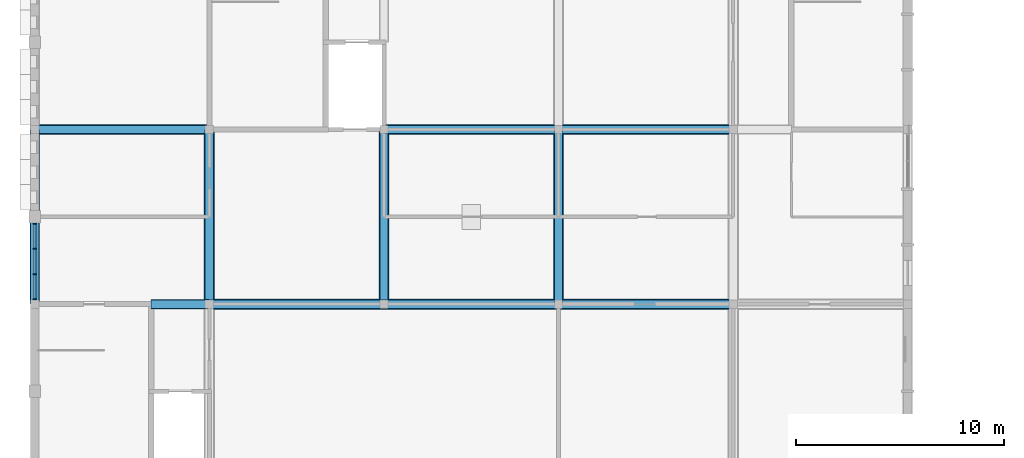
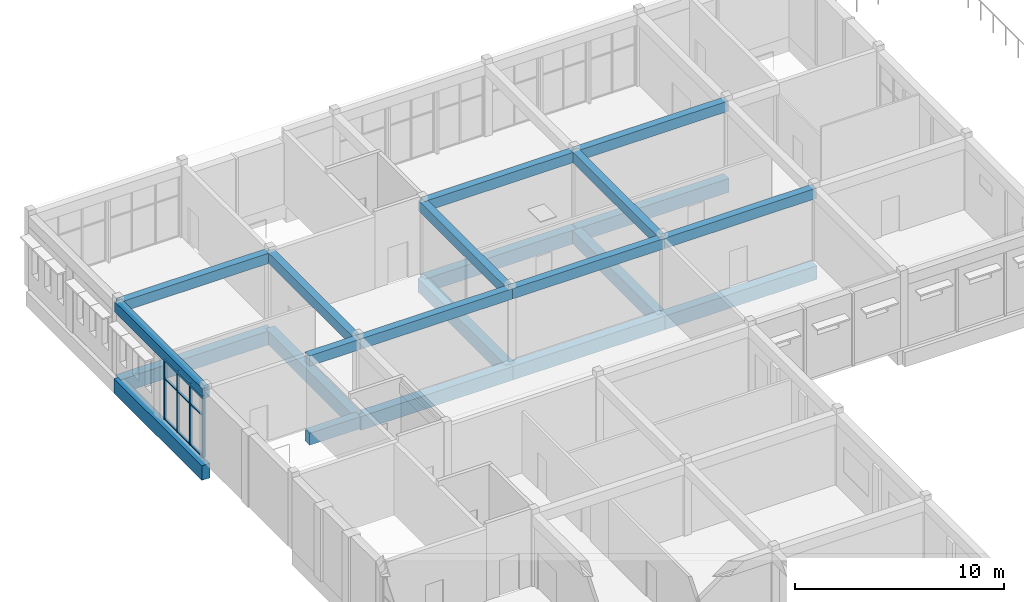
# One storey, part 5 of 15: 22 beams, 13 members, 1 element without a shape of its own.
"""IFC4 building model written with IfcOpenShell, lengths in metres."""

import ifcopenshell
import ifcopenshell.guid

model = None  # the IFC model being written
_history = None  # IfcOwnerHistory: only IFC2X3 demands one
_inside = {}  # id of a spatial element -> (the spatial element, [elements in it])
_under = {}  # id of a project, library or spatial element -> (it, [spatial elements below it])
_declared = {}  # id of a project -> (the project, [libraries it declares])
_typed = {}  # id of a type object -> (the type object, [elements of that type])
_made_of = {}  # id of a material, layer set ... -> (it, [elements and type objects made of it])


def new_model(schema):
    """Start an empty IFC model of exactly this schema.

    Asked for "IFC4X3", IfcOpenShell would pick the latest addendum, in which some entities
    have other attributes; the version numbers below select the first issue.
    IFC2X3 requires an IfcOwnerHistory on every rooted entity: one is made here for all.
    """
    global model, _history
    if schema == "IFC4X3":
        model = ifcopenshell.file(schema_version=(4, 3, 0, 0))
    else:
        model = ifcopenshell.file(schema=schema)
    _inside.clear()
    _under.clear()
    _declared.clear()
    _typed.clear()
    _made_of.clear()
    _history = None
    if model.schema == "IFC2X3":
        org = make("IfcOrganization", Name="unknown")
        user = make(
            "IfcPersonAndOrganization",
            ThePerson=make("IfcPerson", FamilyName="unknown"),
            TheOrganization=org,
        )
        app = make(
            "IfcApplication",
            ApplicationDeveloper=org,
            Version="unknown",
            ApplicationFullName="unknown",
            ApplicationIdentifier="unknown",
        )
        _history = make(
            "IfcOwnerHistory",
            OwningUser=user,
            OwningApplication=app,
            ChangeAction="ADDED",
            CreationDate=0,
        )
    return model


def make(cls, **values):
    """One entity of the class cls with the attributes given. An attribute that is None is left unset."""
    return model.create_entity(
        cls, **{name: value for name, value in values.items() if value is not None}
    )


def rooted(cls, **values):
    """An entity with a GlobalId (a new one), such as an element, a storey or a relation."""
    return make(cls, GlobalId=ifcopenshell.guid.new(), OwnerHistory=_history, **values)


def si_unit(unit_type, name, prefix=None):
    """IfcSIUnit, for example si_unit("LENGTHUNIT", "METRE", prefix="MILLI")."""
    return make("IfcSIUnit", UnitType=unit_type, Prefix=prefix, Name=name)


def assignment(units):
    """IfcUnitAssignment: the units of a project."""
    return None if units is None else make("IfcUnitAssignment", Units=units)


def point(xyz):
    """IfcCartesianPoint."""
    return None if xyz is None else make("IfcCartesianPoint", Coordinates=xyz)


def direction(xyz):
    """IfcDirection."""
    return None if xyz is None else make("IfcDirection", DirectionRatios=xyz)


def frame(location, z_axis=None, x_axis=None):
    """IfcAxis2Placement3D, a coordinate frame: its origin and axes. An axis left out is left unset."""
    return make(
        "IfcAxis2Placement3D",
        Location=point(location),
        Axis=direction(z_axis),
        RefDirection=direction(x_axis),
    )


def frame_2d(location, x_axis=None):
    """IfcAxis2Placement2D, a coordinate frame in the plane: its origin and x axis."""
    return make(
        "IfcAxis2Placement2D", Location=point(location), RefDirection=direction(x_axis)
    )


def origin():
    """The frame at (0, 0, 0) with its axes left unset."""
    return frame((0.0, 0.0, 0.0))


def origin_2d():
    """The frame at (0, 0) in the plane with its x axis left unset."""
    return frame_2d((0.0, 0.0))


def place(relative_to, where):
    """IfcLocalPlacement: puts the frame where relative to a parent placement (None: the world)."""
    return make(
        "IfcLocalPlacement", PlacementRelTo=relative_to, RelativePlacement=where
    )


def context(
    kind, dimensions, precision=None, world=None, true_north=None, identifier=None
):
    """IfcGeometricRepresentationContext, for example the 3D "Model" context."""
    return make(
        "IfcGeometricRepresentationContext",
        ContextIdentifier=identifier,
        ContextType=kind,
        CoordinateSpaceDimension=dimensions,
        Precision=precision,
        WorldCoordinateSystem=world,
        TrueNorth=true_north,
    )


def subcontext(parent, identifier, kind, view, scale=None):
    """IfcGeometricRepresentationSubContext, for example "Body" below "Model"."""
    return make(
        "IfcGeometricRepresentationSubContext",
        ContextIdentifier=identifier,
        ContextType=kind,
        ParentContext=parent,
        TargetScale=scale,
        TargetView=view,
    )


def project(units=None, contexts=None):
    """IfcProject with its units and contexts."""
    return rooted(
        "IfcProject",
        Name="project",
        RepresentationContexts=contexts,
        UnitsInContext=assignment(units),
    )


def spatial(cls, under=None, at=None, **own):
    """A site, building, storey or space (cls), placed at a placement, below another one or the project."""
    s = rooted(cls, ObjectPlacement=at, **own)
    if under is not None:
        _under.setdefault(under.id(), (under, []))[1].append(s)
    return s


def profile(cls, at=None, kind="AREA", **sizes):
    """A parametric profile (cls). Its sizes go by their IFC names, for example OverallWidth=200.0."""
    return make(cls, ProfileType=kind, Position=at, **sizes)


def rectangle(**sizes):
    """IfcRectangleProfileDef."""
    return profile("IfcRectangleProfileDef", **sizes)


def extrude(swept, where, along, depth):
    """IfcExtrudedAreaSolid: the profile swept, set in the frame where, extruded along a direction by depth."""
    return make(
        "IfcExtrudedAreaSolid",
        SweptArea=swept,
        Position=where,
        ExtrudedDirection=direction(along),
        Depth=depth,
    )


def shape(context_of_items, identifier, shape_type, items):
    """IfcShapeRepresentation: the items that make up one representation, for example the "Body"."""
    return make(
        "IfcShapeRepresentation",
        ContextOfItems=context_of_items,
        RepresentationIdentifier=identifier,
        RepresentationType=shape_type,
        Items=items,
    )


def material(Name=None, Category=None):
    """IfcMaterial."""
    return make("IfcMaterial", Name=Name, Category=Category)


def material_profile(
    of_material, cross_section, Name=None, Category=None, Priority=None
):
    """IfcMaterialProfile: a cross section and its material."""
    return make(
        "IfcMaterialProfile",
        Name=Name,
        Material=of_material,
        Profile=cross_section,
        Priority=Priority,
        Category=Category,
    )


def profile_set(profiles, Name=None, composite=None):
    """IfcMaterialProfileSet."""
    return make(
        "IfcMaterialProfileSet",
        Name=Name,
        MaterialProfiles=profiles,
        CompositeProfile=composite,
    )


def made_of(thing, what):
    """Note that an element or type object is made of a material, layer set ...; save() writes the relation."""
    if what is not None:
        _made_of.setdefault(what.id(), (what, []))[1].append(thing)
    return thing


def type_object(cls, material=None, **own):
    """A type object (cls), such as IfcWallType, which elements share."""
    return made_of(rooted(cls, **own), material)


def element(
    cls,
    number,
    at=None,
    inside=None,
    cuts=None,
    type_object=None,
    material=None,
    context=None,
    identifier="Body",
    shape_type=None,
    held_by="IfcProductDefinitionShape",
    body=None,
    shapes=None,
    **own,
):
    """One element of the class cls, such as IfcWall. Its Tag is "e" and its number.

    at: its placement. inside: the storey or other place that contains it. cuts: it is an
    opening in that element (IfcRelVoidsElement). A single representation is given by context,
    identifier, shape_type and body (its items); several are given by shapes. held_by: the class
    of the entity that holds the representations. save() writes the other relations.
    """
    e = rooted(cls, Tag="e%d" % number, ObjectPlacement=at, **own)
    if body is not None:
        shapes = [shape(context, identifier, shape_type, body)]
    if shapes is not None:
        e.Representation = make(held_by, Representations=shapes)
    if inside is not None:
        _inside.setdefault(inside.id(), (inside, []))[1].append(e)
    if cuts is not None:
        rooted(
            "IfcRelVoidsElement", RelatingBuildingElement=cuts, RelatedOpeningElement=e
        )
    if type_object is not None:
        _typed.setdefault(type_object.id(), (type_object, []))[1].append(e)
    return made_of(e, material)


def aggregate(whole, parts):
    """IfcRelAggregates: a whole, such as a stair, and the parts it consists of."""
    return rooted("IfcRelAggregates", RelatingObject=whole, RelatedObjects=parts)


def save(model, path):
    """Write the relations noted so far, then the file.

    IfcRelAggregates (storeys below a building ...), IfcRelContainedInSpatialStructure (elements
    in a storey), IfcRelDefinesByType, IfcRelAssociatesMaterial and IfcRelDeclares: one each for
    every whole, place, type object, material and project.
    """
    for whole, parts in _under.values():
        aggregate(whole, parts)
    for where, things in _inside.values():
        rooted(
            "IfcRelContainedInSpatialStructure",
            RelatedElements=things,
            RelatingStructure=where,
        )
    for kind, things in _typed.values():
        rooted("IfcRelDefinesByType", RelatedObjects=things, RelatingType=kind)
    for what, things in _made_of.values():
        rooted("IfcRelAssociatesMaterial", RelatedObjects=things, RelatingMaterial=what)
    for by, libraries in _declared.values():
        rooted("IfcRelDeclares", RelatingContext=by, RelatedDefinitions=libraries)
    model.write(path)


model = new_model("IFC4")

# Units and contexts
model_context = context("Model", 3, precision=1e-05, world=origin(), true_north=direction((0.0, 1.0)))
body_context = subcontext(model_context, "Body", "Model", "MODEL_VIEW")
ifc_project = project(units=[si_unit("LENGTHUNIT", "METRE"), si_unit("AREAUNIT", "SQUARE_METRE"), si_unit("VOLUMEUNIT", "CUBIC_METRE"), si_unit("PLANEANGLEUNIT", "RADIAN"), si_unit("MASSUNIT", "GRAM", prefix="KILO")], contexts=[model_context])

# Site, building, storey
site_placement = place(None, origin())
site = spatial("IfcSite", under=ifc_project, at=site_placement, CompositionType="ELEMENT")
building_placement = place(site_placement, origin())
building = spatial("IfcBuilding", under=site, at=building_placement, Name="Fescue Hill Polytechnic", CompositionType="ELEMENT")
storey_placement = place(building_placement, frame((0.0, 0.0, 31.5)))
storey = spatial("IfcBuildingStorey", under=building, at=storey_placement, Name="L07", CompositionType="ELEMENT", Elevation=31.5)

# Beams
ifc_material_1 = material(Name="Concrete 35 MPa", Category="concrete")
ifc_material_profile_1 = material_profile(ifc_material_1, rectangle(XDim=0.39990234375, YDim=0.60009765625, at=origin_2d()), Name="RC 400x600")
ifc_profile_set_1 = profile_set([ifc_material_profile_1], Name="Concrete 35 MPa")
beam_type_1 = type_object("IfcBeamType", Name="Beam RC 400x600", PredefinedType="BEAM", material=ifc_profile_set_1)
beam_1_placement = place(storey_placement, frame((0.0, 117.60009765625, 3.89990234375), z_axis=(0.0, 1.0, 0.0), x_axis=(-1.0, 0.0, 0.0)))
element("IfcBeam", 1, at=beam_1_placement, inside=storey, type_object=beam_type_1, Name="BR-L07-0006", PredefinedType="BEAM", context=body_context, shape_type="SweptSolid", body=[
    extrude(rectangle(XDim=0.39990234375, YDim=0.60009765625, at=origin_2d()), origin(), (0.0, 0.0, 1.0), 8.39990234375),
])
beam_2_placement = place(storey_placement, frame((0.010009765625, 126.0, 3.89990234375), z_axis=(1.0, 0.0, 0.0), x_axis=(0.0, 1.0, 0.0)))
element("IfcBeam", 2, at=beam_2_placement, inside=storey, type_object=beam_type_1, Name="BR-L07-0012", PredefinedType="BEAM", context=body_context, shape_type="SweptSolid", body=[
    extrude(rectangle(XDim=0.39990234375, YDim=0.60009765625, at=origin_2d()), origin(), (0.0, 0.0, 1.0), 8.3798828125),
])
beam_3_placement = place(storey_placement, frame((5.60009765625, 117.60009765625, 3.89990234375), z_axis=(1.0, 0.0, 0.0), x_axis=(0.0, 1.0, 0.0)))
element("IfcBeam", 3, at=beam_3_placement, inside=storey, type_object=beam_type_1, Name="BR-L07-0015", PredefinedType="BEAM", context=body_context, shape_type="SweptSolid", body=[
    extrude(rectangle(XDim=0.39990234375, YDim=0.60009765625, at=origin_2d()), origin(), (0.0, 0.0, 1.0), 2.789794921875),
])
beam_4_placement = place(storey_placement, frame((8.39990234375, 117.60009765625, 3.89990234375), z_axis=(0.0, 1.0, 0.0), x_axis=(-1.0, 0.0, 0.0)))
element("IfcBeam", 4, at=beam_4_placement, inside=storey, type_object=beam_type_1, Name="BR-L07-0023", PredefinedType="BEAM", context=body_context, shape_type="SweptSolid", body=[
    extrude(rectangle(XDim=0.39990234375, YDim=0.60009765625, at=origin_2d()), origin(), (0.0, 0.0, 1.0), 8.39990234375),
])
beam_5_placement = place(storey_placement, frame((8.409912109375, 117.60009765625, 3.89990234375), z_axis=(1.0, 0.0, 0.0), x_axis=(0.0, 1.0, 0.0)))
element("IfcBeam", 5, at=beam_5_placement, inside=storey, type_object=beam_type_1, Name="BR-L07-0030", PredefinedType="BEAM", context=body_context, shape_type="SweptSolid", body=[
    extrude(rectangle(XDim=0.39990234375, YDim=0.60009765625, at=origin_2d()), origin(), (0.0, 0.0, 1.0), 8.39013671875),
])
for number, where, z_axis, x_axis, name in (
    (6, (16.800048828125, 117.60009765625, 3.89990234375), (0.0, 1.0, 0.0), (-1.0, 0.0, 0.0), "BR-L07-0040"),
    (7, (16.800048828125, 117.60009765625, 3.89990234375), (1.0, 0.0, 0.0), (0.0, 1.0, 0.0), "BR-L07-0041"),
):
    element("IfcBeam", number, at=place(storey_placement, frame(where, z_axis=z_axis, x_axis=x_axis)), inside=storey, type_object=beam_type_1, Name=name, PredefinedType="BEAM", context=body_context, shape_type="SweptSolid", body=[
        extrude(rectangle(XDim=0.39990234375, YDim=0.60009765625, at=origin_2d()), origin(), (0.0, 0.0, 1.0), 8.39990234375),
    ])
beam_6_placement = place(storey_placement, frame((16.81005859375, 126.0, 3.89990234375), z_axis=(1.0, 0.0, 0.0), x_axis=(0.0, 1.0, 0.0)))
element("IfcBeam", 8, at=beam_6_placement, inside=storey, type_object=beam_type_1, Name="BR-L07-0049", PredefinedType="BEAM", context=body_context, shape_type="SweptSolid", body=[
    extrude(rectangle(XDim=0.39990234375, YDim=0.60009765625, at=origin_2d()), origin(), (0.0, 0.0, 1.0), 8.3798828125),
])
beam_7_placement = place(storey_placement, frame((25.199951171875, 117.60009765625, 3.89990234375), z_axis=(0.0, 1.0, 0.0), x_axis=(-1.0, 0.0, 0.0)))
element("IfcBeam", 9, at=beam_7_placement, inside=storey, type_object=beam_type_1, Name="BR-L07-0056", PredefinedType="BEAM", context=body_context, shape_type="SweptSolid", body=[
    extrude(rectangle(XDim=0.39990234375, YDim=0.60009765625, at=origin_2d()), origin(), (0.0, 0.0, 1.0), 8.39990234375),
])
beam_8_placement = place(storey_placement, frame((25.199951171875, 117.60009765625, 3.89990234375), z_axis=(1.0, 0.0, 0.0), x_axis=(0.0, 1.0, 0.0)))
element("IfcBeam", 10, at=beam_8_placement, inside=storey, type_object=beam_type_1, Name="BR-L07-0057", PredefinedType="BEAM", context=body_context, shape_type="SweptSolid", body=[
    extrude(rectangle(XDim=0.39990234375, YDim=0.60009765625, at=origin_2d()), origin(), (0.0, 0.0, 1.0), 8.39013671875),
])
beam_9_placement = place(storey_placement, frame((25.2099609375, 126.0, 3.89990234375), z_axis=(1.0, 0.0, 0.0), x_axis=(0.0, 1.0, 0.0)))
element("IfcBeam", 11, at=beam_9_placement, inside=storey, type_object=beam_type_1, Name="BR-L07-0059", PredefinedType="BEAM", context=body_context, shape_type="SweptSolid", body=[
    extrude(rectangle(XDim=0.39990234375, YDim=0.60009765625, at=origin_2d()), origin(), (0.0, 0.0, 1.0), 8.380126953125),
])
ifc_material_profile_2 = material_profile(ifc_material_1, rectangle(XDim=0.449951171875, YDim=0.699951171875, at=origin_2d()), Name="RC 450x700")
ifc_profile_set_2 = profile_set([ifc_material_profile_2], Name="Concrete 35 MPa")
beam_type_2 = type_object("IfcBeamType", Name="Beam RC 450x700", PredefinedType="BEAM", material=ifc_profile_set_2)
beam_10_placement = place(storey_placement, frame((5.60009765625, 117.60009765625, -0.64990234375), z_axis=(1.0, 0.0, 0.0), x_axis=(0.0, 1.0, 0.0)))
element("IfcBeam", 12, at=beam_10_placement, inside=storey, type_object=beam_type_2, Name="BM-L07-0015", PredefinedType="BEAM", context=body_context, shape_type="SweptSolid", body=[
    extrude(rectangle(XDim=0.449951171875, YDim=0.699951171875, at=origin_2d()), origin(), (0.0, 0.0, 1.0), 2.789794921875),
])
ifc_material_profile_3 = material_profile(ifc_material_1, rectangle(XDim=0.449951171875, YDim=0.85009765625, at=origin_2d()), Name="RC 450x850")
ifc_profile_set_3 = profile_set([ifc_material_profile_3], Name="Concrete 35 MPa")
beam_type_3 = type_object("IfcBeamType", Name="Beam RC 450x850", PredefinedType="BEAM", material=ifc_profile_set_3)
beam_11_placement = place(storey_placement, frame((0.0, 117.60009765625, -0.72509765625), z_axis=(0.0, 1.0, 0.0), x_axis=(-1.0, 0.0, 0.0)))
element("IfcBeam", 13, at=beam_11_placement, inside=storey, type_object=beam_type_3, Name="BM-L07-0006", PredefinedType="BEAM", context=body_context, shape_type="SweptSolid", body=[
    extrude(rectangle(XDim=0.449951171875, YDim=0.85009765625, at=origin_2d()), origin(), (0.0, 0.0, 1.0), 8.39990234375),
])
ifc_material_profile_4 = material_profile(ifc_material_1, rectangle(XDim=0.5, YDim=0.800048828125, at=origin_2d()), Name="RC 500x800")
ifc_profile_set_4 = profile_set([ifc_material_profile_4], Name="Concrete 35 MPa")
beam_type_4 = type_object("IfcBeamType", Name="Beam RC 500x800", PredefinedType="BEAM", material=ifc_profile_set_4)
beam_12_placement = place(storey_placement, frame((0.010009765625, 126.0, -0.699951171875), z_axis=(1.0, 0.0, 0.0), x_axis=(0.0, 1.0, 0.0)))
element("IfcBeam", 14, at=beam_12_placement, inside=storey, type_object=beam_type_4, Name="BM-L07-0012", PredefinedType="BEAM", context=body_context, shape_type="SweptSolid", body=[
    extrude(rectangle(XDim=0.5, YDim=0.800048828125, at=origin_2d()), origin(), (0.0, 0.0, 1.0), 8.3798828125),
])
beam_13_placement = place(storey_placement, frame((8.39990234375, 117.60009765625, -0.699951171875), z_axis=(0.0, 1.0, 0.0), x_axis=(-1.0, 0.0, 0.0)))
element("IfcBeam", 15, at=beam_13_placement, inside=storey, type_object=beam_type_4, Name="BM-L07-0023", PredefinedType="BEAM", context=body_context, shape_type="SweptSolid", body=[
    extrude(rectangle(XDim=0.5, YDim=0.800048828125, at=origin_2d()), origin(), (0.0, 0.0, 1.0), 8.39990234375),
])
beam_14_placement = place(storey_placement, frame((8.409912109375, 117.60009765625, -0.699951171875), z_axis=(1.0, 0.0, 0.0), x_axis=(0.0, 1.0, 0.0)))
element("IfcBeam", 16, at=beam_14_placement, inside=storey, type_object=beam_type_4, Name="BM-L07-0030", PredefinedType="BEAM", context=body_context, shape_type="SweptSolid", body=[
    extrude(rectangle(XDim=0.5, YDim=0.800048828125, at=origin_2d()), origin(), (0.0, 0.0, 1.0), 8.39013671875),
])
for number, where, z_axis, x_axis, name in (
    (17, (16.800048828125, 117.60009765625, -0.699951171875), (0.0, 1.0, 0.0), (-1.0, 0.0, 0.0), "BM-L07-0040"),
    (18, (16.800048828125, 117.60009765625, -0.699951171875), (1.0, 0.0, 0.0), (0.0, 1.0, 0.0), "BM-L07-0041"),
):
    element("IfcBeam", number, at=place(storey_placement, frame(where, z_axis=z_axis, x_axis=x_axis)), inside=storey, type_object=beam_type_4, Name=name, PredefinedType="BEAM", context=body_context, shape_type="SweptSolid", body=[
        extrude(rectangle(XDim=0.5, YDim=0.800048828125, at=origin_2d()), origin(), (0.0, 0.0, 1.0), 8.39990234375),
    ])
beam_15_placement = place(storey_placement, frame((16.81005859375, 126.0, -0.699951171875), z_axis=(1.0, 0.0, 0.0), x_axis=(0.0, 1.0, 0.0)))
element("IfcBeam", 19, at=beam_15_placement, inside=storey, type_object=beam_type_4, Name="BM-L07-0049", PredefinedType="BEAM", context=body_context, shape_type="SweptSolid", body=[
    extrude(rectangle(XDim=0.5, YDim=0.800048828125, at=origin_2d()), origin(), (0.0, 0.0, 1.0), 8.3798828125),
])
beam_16_placement = place(storey_placement, frame((25.199951171875, 117.60009765625, -0.699951171875), z_axis=(0.0, 1.0, 0.0), x_axis=(-1.0, 0.0, 0.0)))
element("IfcBeam", 20, at=beam_16_placement, inside=storey, type_object=beam_type_4, Name="BM-L07-0056", PredefinedType="BEAM", context=body_context, shape_type="SweptSolid", body=[
    extrude(rectangle(XDim=0.5, YDim=0.800048828125, at=origin_2d()), origin(), (0.0, 0.0, 1.0), 8.39990234375),
])
beam_17_placement = place(storey_placement, frame((25.199951171875, 117.60009765625, -0.699951171875), z_axis=(1.0, 0.0, 0.0), x_axis=(0.0, 1.0, 0.0)))
element("IfcBeam", 21, at=beam_17_placement, inside=storey, type_object=beam_type_4, Name="BM-L07-0057", PredefinedType="BEAM", context=body_context, shape_type="SweptSolid", body=[
    extrude(rectangle(XDim=0.5, YDim=0.800048828125, at=origin_2d()), origin(), (0.0, 0.0, 1.0), 8.39013671875),
])
beam_18_placement = place(storey_placement, frame((25.2099609375, 126.0, -0.699951171875), z_axis=(1.0, 0.0, 0.0), x_axis=(0.0, 1.0, 0.0)))
element("IfcBeam", 22, at=beam_18_placement, inside=storey, type_object=beam_type_4, Name="BM-L07-0059", PredefinedType="BEAM", context=body_context, shape_type="SweptSolid", body=[
    extrude(rectangle(XDim=0.5, YDim=0.800048828125, at=origin_2d()), origin(), (0.0, 0.0, 1.0), 8.380126953125),
])

# Curtain wall, members
ifc_material_2 = material(Name="Glass", Category="glass")
curtain_wall_type = type_object("IfcCurtainWallType", Name="Curtain wall structural glazing", PredefinedType="NOTDEFINED", material=ifc_material_2)
curtain_wall_placement = place(storey_placement, origin())
curtain_wall = element("IfcCurtainWall", 23, at=curtain_wall_placement, inside=storey, type_object=curtain_wall_type, Name="CW-L07-V5-X1", PredefinedType="NOTDEFINED")
ifc_material_3 = material(Name="Powder-coated aluminium", Category="aluminium")
ifc_material_profile_5 = material_profile(ifc_material_3, rectangle(XDim=0.159912109375, YDim=0.06005859375, at=origin_2d()), Name="Mullion aluminium 60x160")
ifc_profile_set_5 = profile_set([ifc_material_profile_5], Name="Powder-coated aluminium")
member_type_1 = type_object("IfcMemberType", Name="Mullion aluminium 60x160", PredefinedType="MULLION", material=ifc_profile_set_5)
member_1_placement = place(storey_placement, frame((0.0, 121.469970703125, 0.0), z_axis=(0.0, 0.0, 1.0), x_axis=(1.0, 0.0, 0.0)))
member_1 = element("IfcMember", 24, at=member_1_placement, type_object=member_type_1, Name="CW150 mullion 1", PredefinedType="MULLION", context=body_context, shape_type="SweptSolid", body=[
    extrude(rectangle(XDim=0.159912109375, YDim=0.06005859375, at=origin_2d()), origin(), (0.0, 0.0, 1.0), 3.580078125),
])
member_2_placement = place(storey_placement, frame((0.0, 120.2666015625, 0.0), z_axis=(0.0, 0.0, 1.0), x_axis=(1.0, 0.0, 0.0)))
member_2 = element("IfcMember", 25, at=member_2_placement, type_object=member_type_1, Name="CW150 mullion 2", PredefinedType="MULLION", context=body_context, shape_type="SweptSolid", body=[
    extrude(rectangle(XDim=0.159912109375, YDim=0.06005859375, at=origin_2d()), origin(), (0.0, 0.0, 1.0), 3.580078125),
])
member_3_placement = place(storey_placement, frame((0.0, 119.033447265625, 0.0), z_axis=(0.0, 0.0, 1.0), x_axis=(1.0, 0.0, 0.0)))
member_3 = element("IfcMember", 26, at=member_3_placement, type_object=member_type_1, Name="CW150 mullion 3", PredefinedType="MULLION", context=body_context, shape_type="SweptSolid", body=[
    extrude(rectangle(XDim=0.159912109375, YDim=0.06005859375, at=origin_2d()), origin(), (0.0, 0.0, 1.0), 3.580078125),
])
member_4_placement = place(storey_placement, frame((0.0, 117.830078125, 0.0), z_axis=(0.0, 0.0, 1.0), x_axis=(1.0, 0.0, 0.0)))
member_4 = element("IfcMember", 27, at=member_4_placement, type_object=member_type_1, Name="CW150 mullion 4", PredefinedType="MULLION", context=body_context, shape_type="SweptSolid", body=[
    extrude(rectangle(XDim=0.159912109375, YDim=0.06005859375, at=origin_2d()), origin(), (0.0, 0.0, 1.0), 3.580078125),
])
ifc_material_profile_6 = material_profile(ifc_material_3, rectangle(XDim=0.1201171875, YDim=0.06005859375, at=origin_2d()), Name="Transom aluminium 60x120")
ifc_profile_set_6 = profile_set([ifc_material_profile_6], Name="Powder-coated aluminium")
member_type_2 = type_object("IfcMemberType", Name="Transom aluminium 60x120", PredefinedType="USERDEFINED", material=ifc_profile_set_6)
member_5_placement = place(storey_placement, frame((0.0, 121.43994140625, 0.030029296875), z_axis=(0.0, -1.0, 0.0), x_axis=(1.0, 0.0, 0.0)))
member_5 = element("IfcMember", 28, at=member_5_placement, type_object=member_type_2, Name="CW150 transom 1.1", ObjectType="TRANSOM", PredefinedType="USERDEFINED", context=body_context, shape_type="SweptSolid", body=[
    extrude(rectangle(XDim=0.1201171875, YDim=0.06005859375, at=origin_2d()), origin(), (0.0, 0.0, 1.0), 1.143310546875),
])
member_6_placement = place(storey_placement, frame((0.0, 121.43994140625, 2.39990234375), z_axis=(0.0, -1.0, 0.0), x_axis=(1.0, 0.0, 0.0)))
member_6 = element("IfcMember", 29, at=member_6_placement, type_object=member_type_2, Name="CW150 transom 1.2", ObjectType="TRANSOM", PredefinedType="USERDEFINED", context=body_context, shape_type="SweptSolid", body=[
    extrude(rectangle(XDim=0.1201171875, YDim=0.06005859375, at=origin_2d()), origin(), (0.0, 0.0, 1.0), 1.143310546875),
])
member_7_placement = place(storey_placement, frame((0.0, 121.43994140625, 3.550048828125), z_axis=(0.0, -1.0, 0.0), x_axis=(1.0, 0.0, 0.0)))
member_7 = element("IfcMember", 30, at=member_7_placement, type_object=member_type_2, Name="CW150 transom 1.3", ObjectType="TRANSOM", PredefinedType="USERDEFINED", context=body_context, shape_type="SweptSolid", body=[
    extrude(rectangle(XDim=0.1201171875, YDim=0.06005859375, at=origin_2d()), origin(), (0.0, 0.0, 1.0), 1.143310546875),
])
member_8_placement = place(storey_placement, frame((0.0, 120.236572265625, 0.030029296875), z_axis=(0.0, -1.0, 0.0), x_axis=(1.0, 0.0, 0.0)))
member_8 = element("IfcMember", 31, at=member_8_placement, type_object=member_type_2, Name="CW150 transom 2.1", ObjectType="TRANSOM", PredefinedType="USERDEFINED", context=body_context, shape_type="SweptSolid", body=[
    extrude(rectangle(XDim=0.1201171875, YDim=0.06005859375, at=origin_2d()), origin(), (0.0, 0.0, 1.0), 1.17333984375),
])
member_9_placement = place(storey_placement, frame((0.0, 120.236572265625, 2.39990234375), z_axis=(0.0, -1.0, 0.0), x_axis=(1.0, 0.0, 0.0)))
member_9 = element("IfcMember", 32, at=member_9_placement, type_object=member_type_2, Name="CW150 transom 2.2", ObjectType="TRANSOM", PredefinedType="USERDEFINED", context=body_context, shape_type="SweptSolid", body=[
    extrude(rectangle(XDim=0.1201171875, YDim=0.06005859375, at=origin_2d()), origin(), (0.0, 0.0, 1.0), 1.17333984375),
])
member_10_placement = place(storey_placement, frame((0.0, 120.236572265625, 3.550048828125), z_axis=(0.0, -1.0, 0.0), x_axis=(1.0, 0.0, 0.0)))
member_10 = element("IfcMember", 33, at=member_10_placement, type_object=member_type_2, Name="CW150 transom 2.3", ObjectType="TRANSOM", PredefinedType="USERDEFINED", context=body_context, shape_type="SweptSolid", body=[
    extrude(rectangle(XDim=0.1201171875, YDim=0.06005859375, at=origin_2d()), origin(), (0.0, 0.0, 1.0), 1.17333984375),
])
member_11_placement = place(storey_placement, frame((0.0, 119.00341796875, 0.030029296875), z_axis=(0.0, -1.0, 0.0), x_axis=(1.0, 0.0, 0.0)))
member_11 = element("IfcMember", 34, at=member_11_placement, type_object=member_type_2, Name="CW150 transom 3.1", ObjectType="TRANSOM", PredefinedType="USERDEFINED", context=body_context, shape_type="SweptSolid", body=[
    extrude(rectangle(XDim=0.1201171875, YDim=0.06005859375, at=origin_2d()), origin(), (0.0, 0.0, 1.0), 1.143310546875),
])
member_12_placement = place(storey_placement, frame((0.0, 119.00341796875, 2.39990234375), z_axis=(0.0, -1.0, 0.0), x_axis=(1.0, 0.0, 0.0)))
member_12 = element("IfcMember", 35, at=member_12_placement, type_object=member_type_2, Name="CW150 transom 3.2", ObjectType="TRANSOM", PredefinedType="USERDEFINED", context=body_context, shape_type="SweptSolid", body=[
    extrude(rectangle(XDim=0.1201171875, YDim=0.06005859375, at=origin_2d()), origin(), (0.0, 0.0, 1.0), 1.143310546875),
])
member_13_placement = place(storey_placement, frame((0.0, 119.00341796875, 3.550048828125), z_axis=(0.0, -1.0, 0.0), x_axis=(1.0, 0.0, 0.0)))
member_13 = element("IfcMember", 36, at=member_13_placement, type_object=member_type_2, Name="CW150 transom 3.3", ObjectType="TRANSOM", PredefinedType="USERDEFINED", context=body_context, shape_type="SweptSolid", body=[
    extrude(rectangle(XDim=0.1201171875, YDim=0.06005859375, at=origin_2d()), origin(), (0.0, 0.0, 1.0), 1.143310546875),
])
aggregate(curtain_wall, [member_1, member_2, member_3, member_4, member_5, member_6, member_7, member_8, member_9, member_10, member_11, member_12, member_13])

save(model, "model.ifc")
